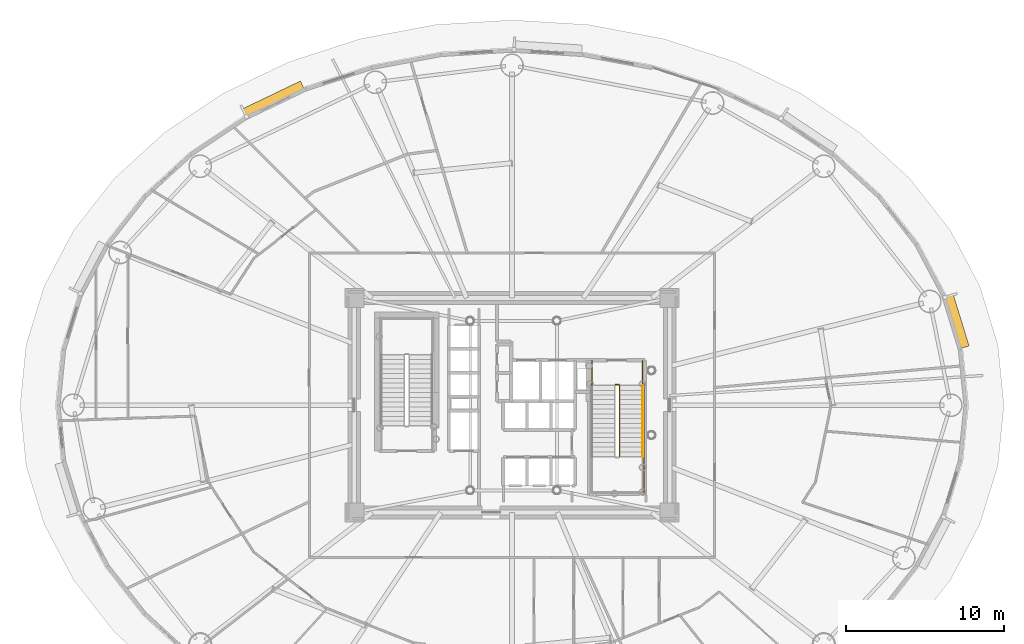
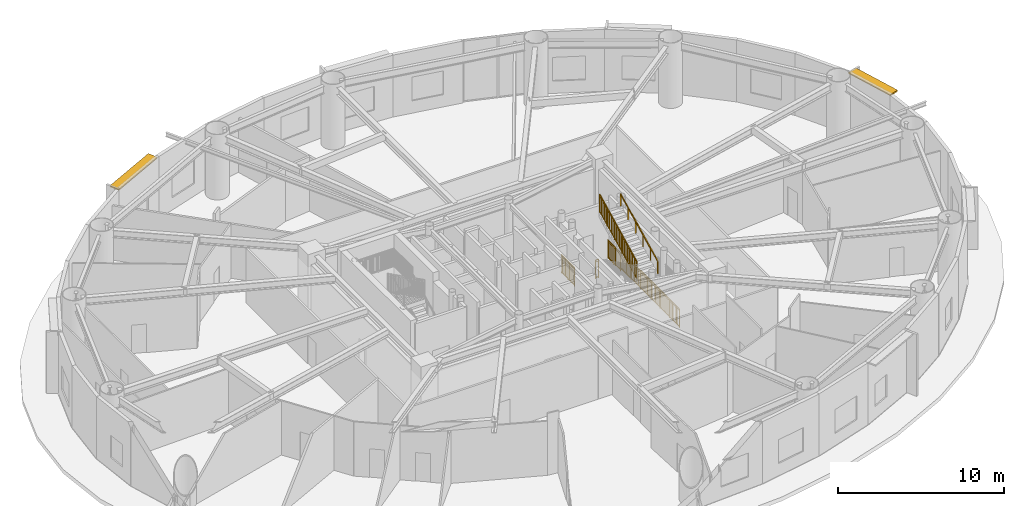
# One storey, part 18 of 19: 6 railings, 2 shading devices.
"""IFC4 building model written with IfcOpenShell, lengths in metres."""

from ifc_helpers import new_model, si_unit, direction, frame, origin, origin_2d, place, context, subcontext, project, spatial, rectangle, extrude, source, transform, mapped, material, layer, layer_set, type_object, element, save


model = new_model("IFC4")

# Units and contexts
model_context = context("Model", 3, precision=1e-05, world=origin(), true_north=direction((0.0, 1.0)))
body_context = subcontext(model_context, "Body", "Model", "MODEL_VIEW")
ifc_project = project(units=[si_unit("LENGTHUNIT", "METRE"), si_unit("AREAUNIT", "SQUARE_METRE"), si_unit("VOLUMEUNIT", "CUBIC_METRE"), si_unit("PLANEANGLEUNIT", "RADIAN"), si_unit("MASSUNIT", "GRAM", prefix="KILO")], contexts=[model_context])

# Site, building, storey
site_placement = place(None, origin())
site = spatial("IfcSite", under=ifc_project, at=site_placement, CompositionType="ELEMENT")
building_placement = place(site_placement, origin())
building = spatial("IfcBuilding", under=site, at=building_placement, Name="Linh Dai School and Residence Tower", CompositionType="ELEMENT")
storey_placement = place(building_placement, frame((0.0, 0.0, 92.39990234375)))
storey = spatial("IfcBuildingStorey", under=building, at=storey_placement, Name="L21", CompositionType="ELEMENT", Elevation=92.39990234375)

# Shading devices
ifc_material_1 = material(Name="Terracotta Ceramic Sunshade", Category="masonry")
ifc_layer = layer(ifc_material_1, 0.10009765625)
ifc_layer_set = layer_set([ifc_layer], Name="Terracotta Ceramic Sunshade")
shading_device_type = type_object("IfcShadingDeviceType", Name="SHD-TC-650", PredefinedType="USERDEFINED", material=ifc_layer_set)
shared_shape_1 = source(origin(), body_context, "Body", "SweptSolid", [
    extrude(rectangle(XDim=3.44384765625, YDim=0.64990234375, at=origin_2d()), origin(), (0.0, 0.0, 1.0), 0.10009765625),
])
shading_device_1_placement = place(storey_placement, frame((64.16845703125, 32.313720703125, 4.429931640625), z_axis=(0.0, 0.0, 1.0), x_axis=(0.293133528962, -0.956071511028, 0.0)))
element("IfcShadingDevice", 1, at=shading_device_1_placement, inside=storey, type_object=shading_device_type, Name="L21 Terracotta Horizontal Sunshade Band 02", ObjectType="SUNSHADE", PredefinedType="USERDEFINED", context=body_context, shape_type="MappedRepresentation", body=[
    mapped(shared_shape_1, transform((0.0, 0.0, 0.0), x_axis=(1.0, 0.0, 0.0), y_axis=(0.0, 1.0, 0.0), z_axis=(0.0, 0.0, 1.0), scale=1.0)),
])
shared_shape_2 = source(origin(), body_context, "Body", "SweptSolid", [
    extrude(rectangle(XDim=4.1005859375, YDim=0.64990234375, at=origin_2d()), origin(), (0.0, 0.0, 1.0), 0.10009765625),
])
shading_device_2_placement = place(storey_placement, frame((20.877197265625, 46.38037109375, 4.429931640625), z_axis=(0.0, 0.0, 1.0), x_axis=(0.901577518371, 0.432617589064, 0.0)))
element("IfcShadingDevice", 2, at=shading_device_2_placement, inside=storey, type_object=shading_device_type, Name="L21 Terracotta Horizontal Sunshade Band 14", ObjectType="SUNSHADE", PredefinedType="USERDEFINED", context=body_context, shape_type="MappedRepresentation", body=[
    mapped(shared_shape_2, transform((0.0, 0.0, 0.0), x_axis=(1.0, 0.0, 0.0), y_axis=(0.0, 1.0, 0.0), z_axis=(0.0, 0.0, 1.0), scale=1.0)),
])

# Railings
ifc_material_2 = material(Name="Structural Steel S355JR", Category="steel")
railing_type_1 = type_object("IfcRailingType", Name="RL-ST-GUARD-1400", PredefinedType="GUARDRAIL", material=ifc_material_2)
shared_shape_3 = source(origin(), body_context, "Body", "SweptSolid", [
    extrude(rectangle(XDim=0.048095703125, YDim=0.048095703125, at=origin_2d()), frame((0.0, 0.0, 1.3759765625), z_axis=(0.0, 0.894427191, 0.4472135955), x_axis=(-1.0, 0.0, 0.0)), (0.0, 0.0, 1.0), 5.03125),
    extrude(rectangle(XDim=0.048095703125, YDim=0.048095703125, at=origin_2d()), frame((0.0, 0.0, 0.10009765625), z_axis=(0.0, 0.894427191, 0.4472135955), x_axis=(-1.0, 0.0, 0.0)), (0.0, 0.0, 1.0), 5.03125),
    extrude(rectangle(XDim=0.030029296875, YDim=0.030029296875, at=origin_2d()), frame((0.0, 0.0, 1.239990234375), z_axis=(0.0, 0.894427191, 0.4472135955), x_axis=(-1.0, 0.0, 0.0)), (0.0, 0.0, 1.0), 5.03125),
    extrude(rectangle(XDim=0.02001953125, YDim=0.02001953125, at=origin_2d()), frame((0.0, 0.08642578125, 0.143310546875)), (0.0, 0.0, 1.0), 1.251708984375),
    extrude(rectangle(XDim=0.02001953125, YDim=0.02001953125, at=origin_2d()), frame((0.0, 0.173095703125, 0.1865234375)), (0.0, 0.0, 1.0), 1.251708984375),
    extrude(rectangle(XDim=0.02001953125, YDim=0.02001953125, at=origin_2d()), frame((0.0, 0.259521484375, 0.22998046875)), (0.0, 0.0, 1.0), 1.251708984375),
    extrude(rectangle(XDim=0.02001953125, YDim=0.02001953125, at=origin_2d()), frame((0.0, 0.34619140625, 0.273193359375)), (0.0, 0.0, 1.0), 1.251708984375),
    extrude(rectangle(XDim=0.02001953125, YDim=0.02001953125, at=origin_2d()), frame((0.0, 0.4326171875, 0.31640625)), (0.0, 0.0, 1.0), 1.251708984375),
    extrude(rectangle(XDim=0.02001953125, YDim=0.02001953125, at=origin_2d()), frame((0.0, 0.519287109375, 0.359619140625)), (0.0, 0.0, 1.0), 1.251708984375),
    extrude(rectangle(XDim=0.02001953125, YDim=0.02001953125, at=origin_2d()), frame((0.0, 0.605712890625, 0.403076171875)), (0.0, 0.0, 1.0), 1.251708984375),
    extrude(rectangle(XDim=0.02001953125, YDim=0.02001953125, at=origin_2d()), frame((0.0, 0.6923828125, 0.4462890625)), (0.0, 0.0, 1.0), 1.251708984375),
    extrude(rectangle(XDim=0.02001953125, YDim=0.02001953125, at=origin_2d()), frame((0.0, 0.77880859375, 0.489501953125)), (0.0, 0.0, 1.0), 1.251708984375),
    extrude(rectangle(XDim=0.02001953125, YDim=0.02001953125, at=origin_2d()), frame((0.0, 0.951904296875, 0.576171875)), (0.0, 0.0, 1.0), 1.251708984375),
    extrude(rectangle(XDim=0.02001953125, YDim=0.02001953125, at=origin_2d()), frame((0.0, 1.03857421875, 0.619384765625)), (0.0, 0.0, 1.0), 1.251708984375),
    extrude(rectangle(XDim=0.02001953125, YDim=0.02001953125, at=origin_2d()), frame((0.0, 1.125, 0.66259765625)), (0.0, 0.0, 1.0), 1.251708984375),
    extrude(rectangle(XDim=0.02001953125, YDim=0.02001953125, at=origin_2d()), frame((0.0, 1.21142578125, 0.705810546875)), (0.0, 0.0, 1.0), 1.251708984375),
    extrude(rectangle(XDim=0.02001953125, YDim=0.02001953125, at=origin_2d()), frame((0.0, 1.298095703125, 0.7490234375)), (0.0, 0.0, 1.0), 1.251708984375),
    extrude(rectangle(XDim=0.02001953125, YDim=0.02001953125, at=origin_2d()), frame((0.0, 1.384521484375, 0.79248046875)), (0.0, 0.0, 1.0), 1.251708984375),
    extrude(rectangle(XDim=0.02001953125, YDim=0.02001953125, at=origin_2d()), frame((0.0, 1.47119140625, 0.835693359375)), (0.0, 0.0, 1.0), 1.251708984375),
    extrude(rectangle(XDim=0.02001953125, YDim=0.02001953125, at=origin_2d()), frame((0.0, 1.5576171875, 0.87890625)), (0.0, 0.0, 1.0), 1.251708984375),
    extrude(rectangle(XDim=0.02001953125, YDim=0.02001953125, at=origin_2d()), frame((0.0, 1.644287109375, 0.922119140625)), (0.0, 0.0, 1.0), 1.251708984375),
    extrude(rectangle(XDim=0.02001953125, YDim=0.02001953125, at=origin_2d()), frame((0.0, 1.730712890625, 0.965576171875)), (0.0, 0.0, 1.0), 1.251708984375),
    extrude(rectangle(XDim=0.02001953125, YDim=0.02001953125, at=origin_2d()), frame((0.0, 1.90380859375, 1.052001953125)), (0.0, 0.0, 1.0), 1.251708984375),
    extrude(rectangle(XDim=0.02001953125, YDim=0.02001953125, at=origin_2d()), frame((0.0, 1.990478515625, 1.09521484375)), (0.0, 0.0, 1.0), 1.251708984375),
    extrude(rectangle(XDim=0.02001953125, YDim=0.02001953125, at=origin_2d()), frame((0.0, 2.076904296875, 1.138671875)), (0.0, 0.0, 1.0), 1.251708984375),
    extrude(rectangle(XDim=0.02001953125, YDim=0.02001953125, at=origin_2d()), frame((0.0, 2.16357421875, 1.181884765625)), (0.0, 0.0, 1.0), 1.251708984375),
    extrude(rectangle(XDim=0.02001953125, YDim=0.02001953125, at=origin_2d()), frame((0.0, 2.25, 1.22509765625)), (0.0, 0.0, 1.0), 1.251708984375),
    extrude(rectangle(XDim=0.02001953125, YDim=0.02001953125, at=origin_2d()), frame((0.0, 2.33642578125, 1.268310546875)), (0.0, 0.0, 1.0), 1.251708984375),
    extrude(rectangle(XDim=0.02001953125, YDim=0.02001953125, at=origin_2d()), frame((0.0, 2.423095703125, 1.3115234375)), (0.0, 0.0, 1.0), 1.251708984375),
    extrude(rectangle(XDim=0.02001953125, YDim=0.02001953125, at=origin_2d()), frame((0.0, 2.509521484375, 1.35498046875)), (0.0, 0.0, 1.0), 1.251708984375),
    extrude(rectangle(XDim=0.02001953125, YDim=0.02001953125, at=origin_2d()), frame((0.0, 2.59619140625, 1.398193359375)), (0.0, 0.0, 1.0), 1.251708984375),
    extrude(rectangle(XDim=0.02001953125, YDim=0.02001953125, at=origin_2d()), frame((0.0, 2.769287109375, 1.484619140625)), (0.0, 0.0, 1.0), 1.251708984375),
    extrude(rectangle(XDim=0.02001953125, YDim=0.02001953125, at=origin_2d()), frame((0.0, 2.855712890625, 1.528076171875)), (0.0, 0.0, 1.0), 1.251708984375),
    extrude(rectangle(XDim=0.02001953125, YDim=0.02001953125, at=origin_2d()), frame((0.0, 2.9423828125, 1.5712890625)), (0.0, 0.0, 1.0), 1.251708984375),
    extrude(rectangle(XDim=0.02001953125, YDim=0.02001953125, at=origin_2d()), frame((0.0, 3.02880859375, 1.614501953125)), (0.0, 0.0, 1.0), 1.251708984375),
    extrude(rectangle(XDim=0.02001953125, YDim=0.02001953125, at=origin_2d()), frame((0.0, 3.115478515625, 1.65771484375)), (0.0, 0.0, 1.0), 1.251708984375),
    extrude(rectangle(XDim=0.02001953125, YDim=0.02001953125, at=origin_2d()), frame((0.0, 3.201904296875, 1.701171875)), (0.0, 0.0, 1.0), 1.251708984375),
    extrude(rectangle(XDim=0.02001953125, YDim=0.02001953125, at=origin_2d()), frame((0.0, 3.28857421875, 1.744384765625)), (0.0, 0.0, 1.0), 1.251708984375),
    extrude(rectangle(XDim=0.02001953125, YDim=0.02001953125, at=origin_2d()), frame((0.0, 3.375, 1.78759765625)), (0.0, 0.0, 1.0), 1.251708984375),
    extrude(rectangle(XDim=0.02001953125, YDim=0.02001953125, at=origin_2d()), frame((0.0, 3.46142578125, 1.830810546875)), (0.0, 0.0, 1.0), 1.251708984375),
    extrude(rectangle(XDim=0.02001953125, YDim=0.02001953125, at=origin_2d()), frame((0.0, 3.548095703125, 1.8740234375)), (0.0, 0.0, 1.0), 1.251708984375),
    extrude(rectangle(XDim=0.02001953125, YDim=0.02001953125, at=origin_2d()), frame((0.0, 3.72119140625, 1.960693359375)), (0.0, 0.0, 1.0), 1.251708984375),
    extrude(rectangle(XDim=0.02001953125, YDim=0.02001953125, at=origin_2d()), frame((0.0, 3.8076171875, 2.00390625)), (0.0, 0.0, 1.0), 1.251708984375),
    extrude(rectangle(XDim=0.02001953125, YDim=0.02001953125, at=origin_2d()), frame((0.0, 3.894287109375, 2.047119140625)), (0.0, 0.0, 1.0), 1.251708984375),
    extrude(rectangle(XDim=0.02001953125, YDim=0.02001953125, at=origin_2d()), frame((0.0, 3.980712890625, 2.090576171875)), (0.0, 0.0, 1.0), 1.251708984375),
    extrude(rectangle(XDim=0.02001953125, YDim=0.02001953125, at=origin_2d()), frame((0.0, 4.0673828125, 2.1337890625)), (0.0, 0.0, 1.0), 1.251708984375),
    extrude(rectangle(XDim=0.02001953125, YDim=0.02001953125, at=origin_2d()), frame((0.0, 4.15380859375, 2.177001953125)), (0.0, 0.0, 1.0), 1.251708984375),
    extrude(rectangle(XDim=0.02001953125, YDim=0.02001953125, at=origin_2d()), frame((0.0, 4.240478515625, 2.22021484375)), (0.0, 0.0, 1.0), 1.251708984375),
    extrude(rectangle(XDim=0.02001953125, YDim=0.02001953125, at=origin_2d()), frame((0.0, 4.326904296875, 2.263671875)), (0.0, 0.0, 1.0), 1.251708984375),
    extrude(rectangle(XDim=0.02001953125, YDim=0.02001953125, at=origin_2d()), frame((0.0, 4.41357421875, 2.306884765625)), (0.0, 0.0, 1.0), 1.251708984375),
    extrude(rectangle(XDim=0.0419921875, YDim=0.0419921875, at=origin_2d()), origin(), (0.0, 0.0, 1.0), 1.3759765625),
    extrude(rectangle(XDim=0.0419921875, YDim=0.0419921875, at=origin_2d()), frame((0.0, 0.89990234375, 0.449951171875)), (0.0, 0.0, 1.0), 1.3759765625),
    extrude(rectangle(XDim=0.0419921875, YDim=0.0419921875, at=origin_2d()), frame((0.0, 1.800048828125, 0.89990234375)), (0.0, 0.0, 1.0), 1.3759765625),
    extrude(rectangle(XDim=0.0419921875, YDim=0.0419921875, at=origin_2d()), frame((0.0, 2.699951171875, 1.35009765625)), (0.0, 0.0, 1.0), 1.3759765625),
    extrude(rectangle(XDim=0.0419921875, YDim=0.0419921875, at=origin_2d()), frame((0.0, 3.60009765625, 1.800048828125)), (0.0, 0.0, 1.0), 1.3759765625),
    extrude(rectangle(XDim=0.0419921875, YDim=0.0419921875, at=origin_2d()), frame((0.0, 4.5, 2.25)), (0.0, 0.0, 1.0), 1.3759765625),
])
railing_1_placement = place(storey_placement, frame((42.820068359375, 23.75, 2.550048828125)))
element("IfcRailing", 3, at=railing_1_placement, inside=storey, type_object=railing_type_1, Name="L21 ST2 stair guard 6", PredefinedType="GUARDRAIL", context=body_context, shape_type="MappedRepresentation", body=[
    mapped(shared_shape_3, transform((0.0, 0.0, 0.0), x_axis=(1.0, 0.0, 0.0), y_axis=(0.0, 1.0, 0.0), z_axis=(0.0, 0.0, 1.0), scale=1.0)),
])
ifc_material_3 = material(Name="Brushed Stainless Steel Handrail", Category="steel")
railing_type_2 = type_object("IfcRailingType", Name="RL-ST-HANDRAIL-900", PredefinedType="HANDRAIL", material=ifc_material_3)
shared_shape_4 = source(origin(), body_context, "Body", "SweptSolid", [
    extrude(rectangle(XDim=0.048095703125, YDim=0.048095703125, at=origin_2d()), frame((0.0, 0.0, 0.8759765625), z_axis=(0.0, 0.894427191, 0.4472135955), x_axis=(-1.0, 0.0, 0.0)), (0.0, 0.0, 1.0), 5.03125),
    extrude(rectangle(XDim=0.0419921875, YDim=0.0419921875, at=origin_2d()), origin(), (0.0, 0.0, 1.0), 0.8759765625),
    extrude(rectangle(XDim=0.0419921875, YDim=0.0419921875, at=origin_2d()), frame((0.0, 0.89990234375, 0.449951171875)), (0.0, 0.0, 1.0), 0.8759765625),
    extrude(rectangle(XDim=0.0419921875, YDim=0.0419921875, at=origin_2d()), frame((0.0, 1.800048828125, 0.89990234375)), (0.0, 0.0, 1.0), 0.8759765625),
    extrude(rectangle(XDim=0.0419921875, YDim=0.0419921875, at=origin_2d()), frame((0.0, 2.699951171875, 1.35009765625)), (0.0, 0.0, 1.0), 0.8759765625),
    extrude(rectangle(XDim=0.0419921875, YDim=0.0419921875, at=origin_2d()), frame((0.0, 3.60009765625, 1.800048828125)), (0.0, 0.0, 1.0), 0.8759765625),
    extrude(rectangle(XDim=0.0419921875, YDim=0.0419921875, at=origin_2d()), frame((0.0, 4.5, 2.25)), (0.0, 0.0, 1.0), 0.8759765625),
])
railing_2_placement = place(storey_placement, frame((44.27001953125, 23.75, 2.550048828125)))
element("IfcRailing", 4, at=railing_2_placement, inside=storey, type_object=railing_type_2, Name="L21 ST2 stair handrail 2", PredefinedType="HANDRAIL", context=body_context, shape_type="MappedRepresentation", body=[
    mapped(shared_shape_4, transform((0.0, 0.0, 0.0), x_axis=(1.0, 0.0, 0.0), y_axis=(0.0, 1.0, 0.0), z_axis=(0.0, 0.0, 1.0), scale=1.0)),
])
shared_shape_5 = source(origin(), body_context, "Body", "SweptSolid", [
    extrude(rectangle(XDim=0.048095703125, YDim=0.048095703125, at=origin_2d()), frame((0.0, 0.0, 1.3759765625), z_axis=(1.0, 0.0, 0.0), x_axis=(0.0, 1.0, 0.0)), (0.0, 0.0, 1.0), 0.199951171875),
    extrude(rectangle(XDim=0.048095703125, YDim=0.048095703125, at=origin_2d()), frame((0.0, 0.0, 0.10009765625), z_axis=(1.0, 0.0, 0.0), x_axis=(0.0, 1.0, 0.0)), (0.0, 0.0, 1.0), 0.199951171875),
    extrude(rectangle(XDim=0.030029296875, YDim=0.030029296875, at=origin_2d()), frame((0.0, 0.0, 1.239990234375), z_axis=(1.0, 0.0, 0.0), x_axis=(0.0, 1.0, 0.0)), (0.0, 0.0, 1.0), 0.199951171875),
    extrude(rectangle(XDim=0.0419921875, YDim=0.0419921875, at=origin_2d()), origin(), (0.0, 0.0, 1.0), 1.3759765625),
    extrude(rectangle(XDim=0.0419921875, YDim=0.0419921875, at=origin_2d()), frame((0.199951171875, 0.0, 0.0)), (0.0, 0.0, 1.0), 1.3759765625),
])
railing_3_placement = place(storey_placement, frame((42.570068359375, 28.300048828125, 0.0)))
element("IfcRailing", 5, at=railing_3_placement, inside=storey, type_object=railing_type_1, Name="L21 ST2 stair guard 7", PredefinedType="GUARDRAIL", context=body_context, shape_type="MappedRepresentation", body=[
    mapped(shared_shape_5, transform((0.0, 0.0, 0.0), x_axis=(1.0, 0.0, 0.0), y_axis=(0.0, 1.0, 0.0), z_axis=(0.0, 0.0, 1.0), scale=1.0)),
])
shared_shape_6 = source(origin(), body_context, "Body", "SweptSolid", [
    extrude(rectangle(XDim=0.048095703125, YDim=0.048095703125, at=origin_2d()), frame((0.0, 0.0, 1.3759765625), z_axis=(0.0, -1.0, 0.0), x_axis=(1.0, 0.0, 0.0)), (0.0, 0.0, 1.0), 1.60009765625),
    extrude(rectangle(XDim=0.048095703125, YDim=0.048095703125, at=origin_2d()), frame((0.0, 0.0, 0.10009765625), z_axis=(0.0, -1.0, 0.0), x_axis=(1.0, 0.0, 0.0)), (0.0, 0.0, 1.0), 1.60009765625),
    extrude(rectangle(XDim=0.030029296875, YDim=0.030029296875, at=origin_2d()), frame((0.0, 0.0, 1.239990234375), z_axis=(0.0, -1.0, 0.0), x_axis=(1.0, 0.0, 0.0)), (0.0, 0.0, 1.0), 1.60009765625),
    extrude(rectangle(XDim=0.02001953125, YDim=0.02001953125, at=origin_2d()), frame((0.0, -0.09423828125, 0.10009765625)), (0.0, 0.0, 1.0), 1.251708984375),
    extrude(rectangle(XDim=0.02001953125, YDim=0.02001953125, at=origin_2d()), frame((0.0, -0.188232421875, 0.10009765625)), (0.0, 0.0, 1.0), 1.251708984375),
    extrude(rectangle(XDim=0.02001953125, YDim=0.02001953125, at=origin_2d()), frame((0.0, -0.282470703125, 0.10009765625)), (0.0, 0.0, 1.0), 1.251708984375),
    extrude(rectangle(XDim=0.02001953125, YDim=0.02001953125, at=origin_2d()), frame((0.0, -0.37646484375, 0.10009765625)), (0.0, 0.0, 1.0), 1.251708984375),
    extrude(rectangle(XDim=0.02001953125, YDim=0.02001953125, at=origin_2d()), frame((0.0, -0.470703125, 0.10009765625)), (0.0, 0.0, 1.0), 1.251708984375),
    extrude(rectangle(XDim=0.02001953125, YDim=0.02001953125, at=origin_2d()), frame((0.0, -0.564697265625, 0.10009765625)), (0.0, 0.0, 1.0), 1.251708984375),
    extrude(rectangle(XDim=0.02001953125, YDim=0.02001953125, at=origin_2d()), frame((0.0, -0.658935546875, 0.10009765625)), (0.0, 0.0, 1.0), 1.251708984375),
    extrude(rectangle(XDim=0.02001953125, YDim=0.02001953125, at=origin_2d()), frame((0.0, -0.7529296875, 0.10009765625)), (0.0, 0.0, 1.0), 1.251708984375),
    extrude(rectangle(XDim=0.02001953125, YDim=0.02001953125, at=origin_2d()), frame((0.0, -0.84716796875, 0.10009765625)), (0.0, 0.0, 1.0), 1.251708984375),
    extrude(rectangle(XDim=0.02001953125, YDim=0.02001953125, at=origin_2d()), frame((0.0, -0.941162109375, 0.10009765625)), (0.0, 0.0, 1.0), 1.251708984375),
    extrude(rectangle(XDim=0.02001953125, YDim=0.02001953125, at=origin_2d()), frame((0.0, -1.035400390625, 0.10009765625)), (0.0, 0.0, 1.0), 1.251708984375),
    extrude(rectangle(XDim=0.02001953125, YDim=0.02001953125, at=origin_2d()), frame((0.0, -1.12939453125, 0.10009765625)), (0.0, 0.0, 1.0), 1.251708984375),
    extrude(rectangle(XDim=0.02001953125, YDim=0.02001953125, at=origin_2d()), frame((0.0, -1.2236328125, 0.10009765625)), (0.0, 0.0, 1.0), 1.251708984375),
    extrude(rectangle(XDim=0.02001953125, YDim=0.02001953125, at=origin_2d()), frame((0.0, -1.317626953125, 0.10009765625)), (0.0, 0.0, 1.0), 1.251708984375),
    extrude(rectangle(XDim=0.02001953125, YDim=0.02001953125, at=origin_2d()), frame((0.0, -1.411865234375, 0.10009765625)), (0.0, 0.0, 1.0), 1.251708984375),
    extrude(rectangle(XDim=0.02001953125, YDim=0.02001953125, at=origin_2d()), frame((0.0, -1.505859375, 0.10009765625)), (0.0, 0.0, 1.0), 1.251708984375),
    extrude(rectangle(XDim=0.0419921875, YDim=0.0419921875, at=origin_2d()), origin(), (0.0, 0.0, 1.0), 1.3759765625),
    extrude(rectangle(XDim=0.0419921875, YDim=0.0419921875, at=origin_2d()), frame((0.0, -0.800048828125, 0.0)), (0.0, 0.0, 1.0), 1.3759765625),
    extrude(rectangle(XDim=0.0419921875, YDim=0.0419921875, at=origin_2d()), frame((0.0, -1.60009765625, 0.0)), (0.0, 0.0, 1.0), 1.3759765625),
])
for number, where, name in (
    (6, (41.070068359375, 29.85009765625, 0.0), "L21 ST2 stair guard 8"),
    (7, (44.27001953125, 29.85009765625, 0.0), "L21 ST2 stair guard 9"),
):
    element("IfcRailing", number, at=place(storey_placement, frame(where)), inside=storey, type_object=railing_type_1, Name=name, PredefinedType="GUARDRAIL", context=body_context, shape_type="MappedRepresentation", body=[
        mapped(shared_shape_6, transform((0.0, 0.0, 0.0), x_axis=(1.0, 0.0, 0.0), y_axis=(0.0, 1.0, 0.0), z_axis=(0.0, 0.0, 1.0), scale=1.0)),
    ])
shared_shape_7 = source(origin(), body_context, "Body", "SweptSolid", [
    extrude(rectangle(XDim=0.048095703125, YDim=0.048095703125, at=origin_2d()), frame((0.0, 0.0, 1.3759765625), z_axis=(0.0, -1.0, 0.0), x_axis=(1.0, 0.0, 0.0)), (0.0, 0.0, 1.0), 7.0),
    extrude(rectangle(XDim=0.048095703125, YDim=0.048095703125, at=origin_2d()), frame((0.0, 0.0, 0.10009765625), z_axis=(0.0, -1.0, 0.0), x_axis=(1.0, 0.0, 0.0)), (0.0, 0.0, 1.0), 7.0),
    extrude(rectangle(XDim=0.030029296875, YDim=0.030029296875, at=origin_2d()), frame((0.0, 0.0, 1.239990234375), z_axis=(0.0, -1.0, 0.0), x_axis=(1.0, 0.0, 0.0)), (0.0, 0.0, 1.0), 7.0),
    extrude(rectangle(XDim=0.02001953125, YDim=0.02001953125, at=origin_2d()), frame((0.0, -0.09716796875, 0.10009765625)), (0.0, 0.0, 1.0), 1.251708984375),
    extrude(rectangle(XDim=0.02001953125, YDim=0.02001953125, at=origin_2d()), frame((0.0, -0.1943359375, 0.10009765625)), (0.0, 0.0, 1.0), 1.251708984375),
    extrude(rectangle(XDim=0.02001953125, YDim=0.02001953125, at=origin_2d()), frame((0.0, -0.291748046875, 0.10009765625)), (0.0, 0.0, 1.0), 1.251708984375),
    extrude(rectangle(XDim=0.02001953125, YDim=0.02001953125, at=origin_2d()), frame((0.0, -0.388916015625, 0.10009765625)), (0.0, 0.0, 1.0), 1.251708984375),
    extrude(rectangle(XDim=0.02001953125, YDim=0.02001953125, at=origin_2d()), frame((0.0, -0.486083984375, 0.10009765625)), (0.0, 0.0, 1.0), 1.251708984375),
    extrude(rectangle(XDim=0.02001953125, YDim=0.02001953125, at=origin_2d()), frame((0.0, -0.583251953125, 0.10009765625)), (0.0, 0.0, 1.0), 1.251708984375),
    extrude(rectangle(XDim=0.02001953125, YDim=0.02001953125, at=origin_2d()), frame((0.0, -0.6806640625, 0.10009765625)), (0.0, 0.0, 1.0), 1.251708984375),
    extrude(rectangle(XDim=0.02001953125, YDim=0.02001953125, at=origin_2d()), frame((0.0, -0.77783203125, 0.10009765625)), (0.0, 0.0, 1.0), 1.251708984375),
    extrude(rectangle(XDim=0.02001953125, YDim=0.02001953125, at=origin_2d()), frame((0.0, -0.875, 0.10009765625)), (0.0, 0.0, 1.0), 1.251708984375),
    extrude(rectangle(XDim=0.02001953125, YDim=0.02001953125, at=origin_2d()), frame((0.0, -0.97216796875, 0.10009765625)), (0.0, 0.0, 1.0), 1.251708984375),
    extrude(rectangle(XDim=0.02001953125, YDim=0.02001953125, at=origin_2d()), frame((0.0, -1.0693359375, 0.10009765625)), (0.0, 0.0, 1.0), 1.251708984375),
    extrude(rectangle(XDim=0.02001953125, YDim=0.02001953125, at=origin_2d()), frame((0.0, -1.263916015625, 0.10009765625)), (0.0, 0.0, 1.0), 1.251708984375),
    extrude(rectangle(XDim=0.02001953125, YDim=0.02001953125, at=origin_2d()), frame((0.0, -1.361083984375, 0.10009765625)), (0.0, 0.0, 1.0), 1.251708984375),
    extrude(rectangle(XDim=0.02001953125, YDim=0.02001953125, at=origin_2d()), frame((0.0, -1.458251953125, 0.10009765625)), (0.0, 0.0, 1.0), 1.251708984375),
    extrude(rectangle(XDim=0.02001953125, YDim=0.02001953125, at=origin_2d()), frame((0.0, -1.5556640625, 0.10009765625)), (0.0, 0.0, 1.0), 1.251708984375),
    extrude(rectangle(XDim=0.02001953125, YDim=0.02001953125, at=origin_2d()), frame((0.0, -1.65283203125, 0.10009765625)), (0.0, 0.0, 1.0), 1.251708984375),
    extrude(rectangle(XDim=0.02001953125, YDim=0.02001953125, at=origin_2d()), frame((0.0, -1.75, 0.10009765625)), (0.0, 0.0, 1.0), 1.251708984375),
    extrude(rectangle(XDim=0.02001953125, YDim=0.02001953125, at=origin_2d()), frame((0.0, -1.84716796875, 0.10009765625)), (0.0, 0.0, 1.0), 1.251708984375),
    extrude(rectangle(XDim=0.02001953125, YDim=0.02001953125, at=origin_2d()), frame((0.0, -1.9443359375, 0.10009765625)), (0.0, 0.0, 1.0), 1.251708984375),
    extrude(rectangle(XDim=0.02001953125, YDim=0.02001953125, at=origin_2d()), frame((0.0, -2.041748046875, 0.10009765625)), (0.0, 0.0, 1.0), 1.251708984375),
    extrude(rectangle(XDim=0.02001953125, YDim=0.02001953125, at=origin_2d()), frame((0.0, -2.138916015625, 0.10009765625)), (0.0, 0.0, 1.0), 1.251708984375),
    extrude(rectangle(XDim=0.02001953125, YDim=0.02001953125, at=origin_2d()), frame((0.0, -2.236083984375, 0.10009765625)), (0.0, 0.0, 1.0), 1.251708984375),
    extrude(rectangle(XDim=0.02001953125, YDim=0.02001953125, at=origin_2d()), frame((0.0, -2.4306640625, 0.10009765625)), (0.0, 0.0, 1.0), 1.251708984375),
    extrude(rectangle(XDim=0.02001953125, YDim=0.02001953125, at=origin_2d()), frame((0.0, -2.52783203125, 0.10009765625)), (0.0, 0.0, 1.0), 1.251708984375),
    extrude(rectangle(XDim=0.02001953125, YDim=0.02001953125, at=origin_2d()), frame((0.0, -2.625, 0.10009765625)), (0.0, 0.0, 1.0), 1.251708984375),
    extrude(rectangle(XDim=0.02001953125, YDim=0.02001953125, at=origin_2d()), frame((0.0, -2.72216796875, 0.10009765625)), (0.0, 0.0, 1.0), 1.251708984375),
    extrude(rectangle(XDim=0.02001953125, YDim=0.02001953125, at=origin_2d()), frame((0.0, -2.8193359375, 0.10009765625)), (0.0, 0.0, 1.0), 1.251708984375),
    extrude(rectangle(XDim=0.02001953125, YDim=0.02001953125, at=origin_2d()), frame((0.0, -2.916748046875, 0.10009765625)), (0.0, 0.0, 1.0), 1.251708984375),
    extrude(rectangle(XDim=0.02001953125, YDim=0.02001953125, at=origin_2d()), frame((0.0, -3.013916015625, 0.10009765625)), (0.0, 0.0, 1.0), 1.251708984375),
    extrude(rectangle(XDim=0.02001953125, YDim=0.02001953125, at=origin_2d()), frame((0.0, -3.111083984375, 0.10009765625)), (0.0, 0.0, 1.0), 1.251708984375),
    extrude(rectangle(XDim=0.02001953125, YDim=0.02001953125, at=origin_2d()), frame((0.0, -3.208251953125, 0.10009765625)), (0.0, 0.0, 1.0), 1.251708984375),
    extrude(rectangle(XDim=0.02001953125, YDim=0.02001953125, at=origin_2d()), frame((0.0, -3.3056640625, 0.10009765625)), (0.0, 0.0, 1.0), 1.251708984375),
    extrude(rectangle(XDim=0.02001953125, YDim=0.02001953125, at=origin_2d()), frame((0.0, -3.40283203125, 0.10009765625)), (0.0, 0.0, 1.0), 1.251708984375),
    extrude(rectangle(XDim=0.02001953125, YDim=0.02001953125, at=origin_2d()), frame((0.0, -3.59716796875, 0.10009765625)), (0.0, 0.0, 1.0), 1.251708984375),
    extrude(rectangle(XDim=0.02001953125, YDim=0.02001953125, at=origin_2d()), frame((0.0, -3.6943359375, 0.10009765625)), (0.0, 0.0, 1.0), 1.251708984375),
    extrude(rectangle(XDim=0.02001953125, YDim=0.02001953125, at=origin_2d()), frame((0.0, -3.791748046875, 0.10009765625)), (0.0, 0.0, 1.0), 1.251708984375),
    extrude(rectangle(XDim=0.02001953125, YDim=0.02001953125, at=origin_2d()), frame((0.0, -3.888916015625, 0.10009765625)), (0.0, 0.0, 1.0), 1.251708984375),
    extrude(rectangle(XDim=0.02001953125, YDim=0.02001953125, at=origin_2d()), frame((0.0, -3.986083984375, 0.10009765625)), (0.0, 0.0, 1.0), 1.251708984375),
    extrude(rectangle(XDim=0.02001953125, YDim=0.02001953125, at=origin_2d()), frame((0.0, -4.083251953125, 0.10009765625)), (0.0, 0.0, 1.0), 1.251708984375),
    extrude(rectangle(XDim=0.02001953125, YDim=0.02001953125, at=origin_2d()), frame((0.0, -4.1806640625, 0.10009765625)), (0.0, 0.0, 1.0), 1.251708984375),
    extrude(rectangle(XDim=0.02001953125, YDim=0.02001953125, at=origin_2d()), frame((0.0, -4.27783203125, 0.10009765625)), (0.0, 0.0, 1.0), 1.251708984375),
    extrude(rectangle(XDim=0.02001953125, YDim=0.02001953125, at=origin_2d()), frame((0.0, -4.375, 0.10009765625)), (0.0, 0.0, 1.0), 1.251708984375),
    extrude(rectangle(XDim=0.02001953125, YDim=0.02001953125, at=origin_2d()), frame((0.0, -4.47216796875, 0.10009765625)), (0.0, 0.0, 1.0), 1.251708984375),
    extrude(rectangle(XDim=0.02001953125, YDim=0.02001953125, at=origin_2d()), frame((0.0, -4.5693359375, 0.10009765625)), (0.0, 0.0, 1.0), 1.251708984375),
    extrude(rectangle(XDim=0.02001953125, YDim=0.02001953125, at=origin_2d()), frame((0.0, -4.763916015625, 0.10009765625)), (0.0, 0.0, 1.0), 1.251708984375),
    extrude(rectangle(XDim=0.02001953125, YDim=0.02001953125, at=origin_2d()), frame((0.0, -4.861083984375, 0.10009765625)), (0.0, 0.0, 1.0), 1.251708984375),
    extrude(rectangle(XDim=0.02001953125, YDim=0.02001953125, at=origin_2d()), frame((0.0, -4.958251953125, 0.10009765625)), (0.0, 0.0, 1.0), 1.251708984375),
    extrude(rectangle(XDim=0.02001953125, YDim=0.02001953125, at=origin_2d()), frame((0.0, -5.0556640625, 0.10009765625)), (0.0, 0.0, 1.0), 1.251708984375),
    extrude(rectangle(XDim=0.02001953125, YDim=0.02001953125, at=origin_2d()), frame((0.0, -5.15283203125, 0.10009765625)), (0.0, 0.0, 1.0), 1.251708984375),
    extrude(rectangle(XDim=0.02001953125, YDim=0.02001953125, at=origin_2d()), frame((0.0, -5.25, 0.10009765625)), (0.0, 0.0, 1.0), 1.251708984375),
    extrude(rectangle(XDim=0.02001953125, YDim=0.02001953125, at=origin_2d()), frame((0.0, -5.34716796875, 0.10009765625)), (0.0, 0.0, 1.0), 1.251708984375),
    extrude(rectangle(XDim=0.02001953125, YDim=0.02001953125, at=origin_2d()), frame((0.0, -5.4443359375, 0.10009765625)), (0.0, 0.0, 1.0), 1.251708984375),
    extrude(rectangle(XDim=0.02001953125, YDim=0.02001953125, at=origin_2d()), frame((0.0, -5.541748046875, 0.10009765625)), (0.0, 0.0, 1.0), 1.251708984375),
    extrude(rectangle(XDim=0.02001953125, YDim=0.02001953125, at=origin_2d()), frame((0.0, -5.638916015625, 0.10009765625)), (0.0, 0.0, 1.0), 1.251708984375),
    extrude(rectangle(XDim=0.02001953125, YDim=0.02001953125, at=origin_2d()), frame((0.0, -5.736083984375, 0.10009765625)), (0.0, 0.0, 1.0), 1.251708984375),
    extrude(rectangle(XDim=0.02001953125, YDim=0.02001953125, at=origin_2d()), frame((0.0, -5.9306640625, 0.10009765625)), (0.0, 0.0, 1.0), 1.251708984375),
    extrude(rectangle(XDim=0.02001953125, YDim=0.02001953125, at=origin_2d()), frame((0.0, -6.02783203125, 0.10009765625)), (0.0, 0.0, 1.0), 1.251708984375),
    extrude(rectangle(XDim=0.02001953125, YDim=0.02001953125, at=origin_2d()), frame((0.0, -6.125, 0.10009765625)), (0.0, 0.0, 1.0), 1.251708984375),
    extrude(rectangle(XDim=0.02001953125, YDim=0.02001953125, at=origin_2d()), frame((0.0, -6.22216796875, 0.10009765625)), (0.0, 0.0, 1.0), 1.251708984375),
    extrude(rectangle(XDim=0.02001953125, YDim=0.02001953125, at=origin_2d()), frame((0.0, -6.3193359375, 0.10009765625)), (0.0, 0.0, 1.0), 1.251708984375),
    extrude(rectangle(XDim=0.02001953125, YDim=0.02001953125, at=origin_2d()), frame((0.0, -6.416748046875, 0.10009765625)), (0.0, 0.0, 1.0), 1.251708984375),
    extrude(rectangle(XDim=0.02001953125, YDim=0.02001953125, at=origin_2d()), frame((0.0, -6.513916015625, 0.10009765625)), (0.0, 0.0, 1.0), 1.251708984375),
    extrude(rectangle(XDim=0.02001953125, YDim=0.02001953125, at=origin_2d()), frame((0.0, -6.611083984375, 0.10009765625)), (0.0, 0.0, 1.0), 1.251708984375),
    extrude(rectangle(XDim=0.02001953125, YDim=0.02001953125, at=origin_2d()), frame((0.0, -6.708251953125, 0.10009765625)), (0.0, 0.0, 1.0), 1.251708984375),
    extrude(rectangle(XDim=0.02001953125, YDim=0.02001953125, at=origin_2d()), frame((0.0, -6.8056640625, 0.10009765625)), (0.0, 0.0, 1.0), 1.251708984375),
    extrude(rectangle(XDim=0.02001953125, YDim=0.02001953125, at=origin_2d()), frame((0.0, -6.90283203125, 0.10009765625)), (0.0, 0.0, 1.0), 1.251708984375),
    extrude(rectangle(XDim=0.0419921875, YDim=0.0419921875, at=origin_2d()), origin(), (0.0, 0.0, 1.0), 1.3759765625),
    extrude(rectangle(XDim=0.0419921875, YDim=0.0419921875, at=origin_2d()), frame((0.0, -1.166748046875, 0.0)), (0.0, 0.0, 1.0), 1.3759765625),
    extrude(rectangle(XDim=0.0419921875, YDim=0.0419921875, at=origin_2d()), frame((0.0, -2.333251953125, 0.0)), (0.0, 0.0, 1.0), 1.3759765625),
    extrude(rectangle(XDim=0.0419921875, YDim=0.0419921875, at=origin_2d()), frame((0.0, -3.5, 0.0)), (0.0, 0.0, 1.0), 1.3759765625),
    extrude(rectangle(XDim=0.0419921875, YDim=0.0419921875, at=origin_2d()), frame((0.0, -4.666748046875, 0.0)), (0.0, 0.0, 1.0), 1.3759765625),
    extrude(rectangle(XDim=0.0419921875, YDim=0.0419921875, at=origin_2d()), frame((0.0, -5.833251953125, 0.0)), (0.0, 0.0, 1.0), 1.3759765625),
    extrude(rectangle(XDim=0.0419921875, YDim=0.0419921875, at=origin_2d()), frame((0.0, -7.0, 0.0)), (0.0, 0.0, 1.0), 1.3759765625),
])
railing_4_placement = place(storey_placement, frame((44.3701171875, 28.35009765625, 0.0)))
element("IfcRailing", 8, at=railing_4_placement, inside=storey, type_object=railing_type_1, Name="L21 ST2 stair guard 11", PredefinedType="GUARDRAIL", context=body_context, shape_type="MappedRepresentation", body=[
    mapped(shared_shape_7, transform((0.0, 0.0, 0.0), x_axis=(1.0, 0.0, 0.0), y_axis=(0.0, 1.0, 0.0), z_axis=(0.0, 0.0, 1.0), scale=1.0)),
])

save(model, "model.ifc")
